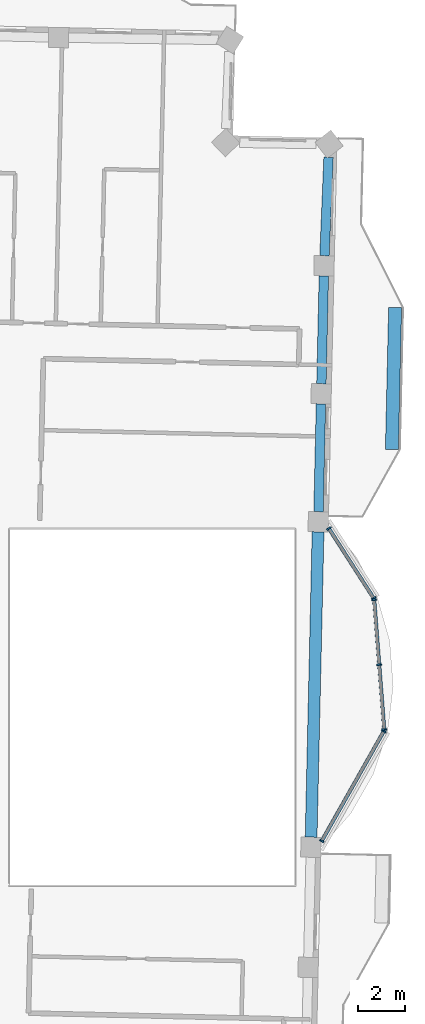
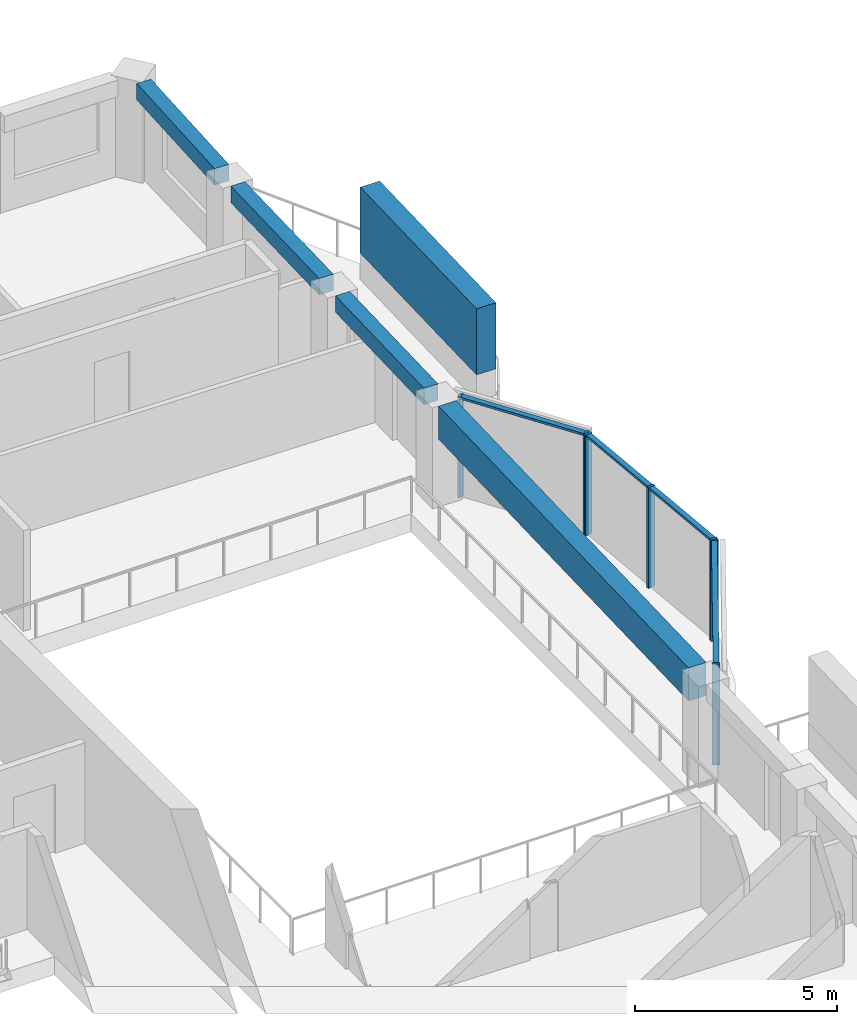
# One storey, part 2 of 15: 12 members, 4 beams, 3 elements without a shape of their own.
"""IFC4 building model written with IfcOpenShell, lengths in metres."""

from ifc_helpers import new_model, si_unit, direction, frame, origin, origin_2d, place, context, subcontext, project, spatial, rectangle, extrude, material, material_profile, profile_set, type_object, element, aggregate, save


model = new_model("IFC4")

# Units and contexts
model_context = context("Model", 3, precision=1e-05, world=origin(), true_north=direction((0.0, 1.0)))
body_context = subcontext(model_context, "Body", "Model", "MODEL_VIEW")
ifc_project = project(units=[si_unit("LENGTHUNIT", "METRE"), si_unit("AREAUNIT", "SQUARE_METRE"), si_unit("VOLUMEUNIT", "CUBIC_METRE"), si_unit("PLANEANGLEUNIT", "RADIAN"), si_unit("MASSUNIT", "GRAM", prefix="KILO")], contexts=[model_context])

# Site, building, storey
site_placement = place(None, origin())
site = spatial("IfcSite", under=ifc_project, at=site_placement, CompositionType="ELEMENT")
building_placement = place(site_placement, origin())
building = spatial("IfcBuilding", under=site, at=building_placement, Name="Mangrove Gate Tower", CompositionType="ELEMENT")
storey_placement = place(building_placement, frame((0.0, 0.0, 320.5)))
storey = spatial("IfcBuildingStorey", under=building, at=storey_placement, Name="L82", CompositionType="ELEMENT", Elevation=320.5)

# Curtain wall, members
ifc_material_1 = material(Name="Aluminium and glass curtain wall", Category="aluminium")
curtain_wall_type = type_object("IfcCurtainWallType", Name="Atrium garden-court glazing wall", PredefinedType="NOTDEFINED", material=ifc_material_1)
curtain_wall_1_placement = place(storey_placement, origin())
curtain_wall_1 = element("IfcCurtainWall", 1, at=curtain_wall_1_placement, inside=storey, type_object=curtain_wall_type, Name="Atrium garden-court glazing E1f1", PredefinedType="NOTDEFINED")
ifc_material_2 = material(Name="Aluminium alloy 6063-T6", Category="aluminium")
ifc_material_profile_1 = material_profile(ifc_material_2, rectangle(XDim=0.070068359375, YDim=0.199951171875, at=origin_2d()))
ifc_profile_set_1 = profile_set([ifc_material_profile_1], Name="Aluminium alloy 6063-T6")
member_type_1 = type_object("IfcMemberType", Name="Atrium garden-court glazing mullion 70x200", PredefinedType="MULLION", material=ifc_profile_set_1)
member_1_placement = place(storey_placement, frame((29.06884765625, -5.647216796875, 0.0), z_axis=(0.0, 0.0, 1.0), x_axis=(0.4925871539, 0.870263118725, 0.0)))
member_1 = element("IfcMember", 2, at=member_1_placement, type_object=member_type_1, Name="CWA mullion 1", PredefinedType="MULLION", context=body_context, shape_type="SweptSolid", body=[
    extrude(rectangle(XDim=0.070068359375, YDim=0.199951171875, at=origin_2d()), origin(), (0.0, 0.0, 1.0), 3.050048828125),
])
member_2_placement = place(storey_placement, frame((31.693359375, -1.01025390625, 0.0), z_axis=(0.0, 0.0, 1.0), x_axis=(0.4925871539, 0.870263118725, 0.0)))
member_2 = element("IfcMember", 3, at=member_2_placement, type_object=member_type_1, Name="CWA mullion 2", PredefinedType="MULLION", context=body_context, shape_type="SweptSolid", body=[
    extrude(rectangle(XDim=0.070068359375, YDim=0.199951171875, at=origin_2d()), origin(), (0.0, 0.0, 1.0), 3.050048828125),
])

curtain_wall_2_placement = place(storey_placement, origin())
curtain_wall_2 = element("IfcCurtainWall", 4, at=curtain_wall_2_placement, inside=storey, type_object=curtain_wall_type, Name="Atrium garden-court glazing E1f2", PredefinedType="NOTDEFINED")
member_3_placement = place(storey_placement, frame((31.7080078125, -0.94482421875, 0.0), z_axis=(0.0, 0.0, 1.0), x_axis=(-0.077023348212, 0.997029289354, 0.0)))
member_3 = element("IfcMember", 5, at=member_3_placement, type_object=member_type_1, Name="CWA mullion 1", PredefinedType="MULLION", context=body_context, shape_type="SweptSolid", body=[
    extrude(rectangle(XDim=0.070068359375, YDim=0.199951171875, at=origin_2d()), origin(), (0.0, 0.0, 1.0), 3.050048828125),
])
member_4_placement = place(storey_placement, frame((31.495849609375, 1.798583984375, 0.0), z_axis=(0.0, 0.0, 1.0), x_axis=(-0.077023348212, 0.997029289354, 0.0)))
member_4 = element("IfcMember", 6, at=member_4_placement, type_object=member_type_1, Name="CWA mullion 2", PredefinedType="MULLION", context=body_context, shape_type="SweptSolid", body=[
    extrude(rectangle(XDim=0.070068359375, YDim=0.199951171875, at=origin_2d()), origin(), (0.0, 0.0, 1.0), 3.050048828125),
])
member_5_placement = place(storey_placement, frame((31.283935546875, 4.542236328125, 0.0), z_axis=(0.0, 0.0, 1.0), x_axis=(-0.077023348212, 0.997029289354, 0.0)))
member_5 = element("IfcMember", 7, at=member_5_placement, type_object=member_type_1, Name="CWA mullion 3", PredefinedType="MULLION", context=body_context, shape_type="SweptSolid", body=[
    extrude(rectangle(XDim=0.070068359375, YDim=0.199951171875, at=origin_2d()), origin(), (0.0, 0.0, 1.0), 3.050048828125),
])

curtain_wall_3_placement = place(storey_placement, origin())
curtain_wall_3 = element("IfcCurtainWall", 8, at=curtain_wall_3_placement, inside=storey, type_object=curtain_wall_type, Name="Atrium garden-court glazing E1f3", PredefinedType="NOTDEFINED")
member_6_placement = place(storey_placement, frame((31.262451171875, 4.606689453125, 0.0), z_axis=(0.0, 0.0, 1.0), x_axis=(-0.540512472211, 0.841336001479, 0.0)))
member_6 = element("IfcMember", 9, at=member_6_placement, type_object=member_type_1, Name="CWA mullion 1", PredefinedType="MULLION", context=body_context, shape_type="SweptSolid", body=[
    extrude(rectangle(XDim=0.070068359375, YDim=0.199951171875, at=origin_2d()), origin(), (0.0, 0.0, 1.0), 3.050048828125),
])
member_7_placement = place(storey_placement, frame((29.371337890625, 7.550048828125, 0.0), z_axis=(0.0, 0.0, 1.0), x_axis=(-0.540512472211, 0.841336001479, 0.0)))
member_7 = element("IfcMember", 10, at=member_7_placement, type_object=member_type_1, Name="CWA mullion 2", PredefinedType="MULLION", context=body_context, shape_type="SweptSolid", body=[
    extrude(rectangle(XDim=0.070068359375, YDim=0.199951171875, at=origin_2d()), origin(), (0.0, 0.0, 1.0), 3.050048828125),
])

# Member
ifc_material_3 = material(Name="Aluminium alloy 6063-T6", Category="aluminium")
ifc_material_profile_2 = material_profile(ifc_material_3, rectangle(XDim=0.070068359375, YDim=0.14990234375, at=origin_2d()))
ifc_profile_set_2 = profile_set([ifc_material_profile_2], Name="Aluminium alloy 6063-T6")
member_type_2 = type_object("IfcMemberType", Name="Atrium garden-court glazing transom 70x150", PredefinedType="USERDEFINED", material=ifc_profile_set_2)
member_8_placement = place(storey_placement, frame((29.0859375, -5.61669921875, 3.014892578125), z_axis=(0.492589594548, 0.870261737262, 0.0), x_axis=(0.0, 0.0, 1.0)))
member_8 = element("IfcMember", 11, at=member_8_placement, type_object=member_type_2, Name="CWA transom 1.2", ObjectType="TRANSOM", PredefinedType="USERDEFINED", context=body_context, shape_type="SweptSolid", body=[
    extrude(rectangle(XDim=0.070068359375, YDim=0.14990234375, at=origin_2d()), origin(), (0.0, 0.0, 1.0), 5.258056640625),
])

aggregate(curtain_wall_1, [member_1, member_2, member_8])

member_9_placement = place(storey_placement, frame((31.705322265625, -0.909912109375, 3.014892578125), z_axis=(-0.077114223205, 0.997022264836, 0.0), x_axis=(0.0, 0.0, 1.0)))
member_9 = element("IfcMember", 12, at=member_9_placement, type_object=member_type_2, Name="CWA transom 1.2", ObjectType="TRANSOM", PredefinedType="USERDEFINED", context=body_context, shape_type="SweptSolid", body=[
    extrude(rectangle(XDim=0.070068359375, YDim=0.14990234375, at=origin_2d()), origin(), (0.0, 0.0, 1.0), 2.681640625),
])

member_10_placement = place(storey_placement, frame((31.4931640625, 1.83349609375, 3.014892578125), z_axis=(-0.07701672858, 0.997029800718, 0.0), x_axis=(0.0, 0.0, 1.0)))
member_10 = element("IfcMember", 13, at=member_10_placement, type_object=member_type_2, Name="CWA transom 2.2", ObjectType="TRANSOM", PredefinedType="USERDEFINED", context=body_context, shape_type="SweptSolid", body=[
    extrude(rectangle(XDim=0.070068359375, YDim=0.14990234375, at=origin_2d()), origin(), (0.0, 0.0, 1.0), 2.681884765625),
])

aggregate(curtain_wall_2, [member_3, member_4, member_5, member_9, member_10])

member_11_placement = place(storey_placement, frame((31.243408203125, 4.635986328125, 3.014892578125), z_axis=(-0.540455251262, 0.841372760067, 0.0), x_axis=(0.0, 0.0, 1.0)))
member_11 = element("IfcMember", 14, at=member_11_placement, type_object=member_type_2, Name="CWA transom 1.2", ObjectType="TRANSOM", PredefinedType="USERDEFINED", context=body_context, shape_type="SweptSolid", body=[
    extrude(rectangle(XDim=0.070068359375, YDim=0.14990234375, at=origin_2d()), origin(), (0.0, 0.0, 1.0), 3.4287109375),
])

aggregate(curtain_wall_3, [member_6, member_7, member_11])

ifc_material_4 = material(Name="Planting on aluminium trellis", Category="aluminium")
ifc_material_profile_3 = material_profile(ifc_material_4, rectangle(XDim=0.550048828125, YDim=2.0, at=origin_2d()))
ifc_profile_set_3 = profile_set([ifc_material_profile_3], Name="Planting on aluminium trellis")
member_type_3 = type_object("IfcMemberType", Name="Balcony greenery screen 550x2000", PredefinedType="USERDEFINED", material=ifc_profile_set_3)
member_12_placement = place(storey_placement, frame((32.032958984375, 10.888916015625, 1.800048828125), z_axis=(0.022662255828, 0.999743178102, 0.0), x_axis=(-0.999743178102, 0.022662255828, 0.0)))
element("IfcMember", 15, at=member_12_placement, inside=storey, type_object=member_type_3, Name="GREEN SCREEN L82 E1.1", ObjectType="PLANTING", PredefinedType="USERDEFINED", context=body_context, shape_type="SweptSolid", body=[
    extrude(rectangle(XDim=0.550048828125, YDim=2.0, at=origin_2d()), origin(), (0.0, 0.0, 1.0), 6.00048828125),
])

# Beams
ifc_material_5 = material(Name="Concrete C50/60", Category="concrete")
ifc_material_profile_4 = material_profile(ifc_material_5, rectangle(XDim=0.39990234375, YDim=0.5, at=origin_2d()))
ifc_profile_set_4 = profile_set([ifc_material_profile_4], Name="Concrete C50/60")
beam_type_1 = type_object("IfcBeamType", Name="Edge beam RC 400x500 C50/60", PredefinedType="BEAM", material=ifc_profile_set_4)
beam_1_placement = place(storey_placement, frame((28.932861328125, 8.259521484375, 2.800048828125), z_axis=(0.022709239016, 0.999742111979, 0.0), x_axis=(-0.999742111979, 0.022709239016, 0.0)))
element("IfcBeam", 16, at=beam_1_placement, inside=storey, type_object=beam_type_1, Name="Edge beam L82 18", PredefinedType="BEAM", context=body_context, shape_type="SweptSolid", body=[
    extrude(rectangle(XDim=0.39990234375, YDim=0.5, at=origin_2d()), origin(), (0.0, 0.0, 1.0), 4.558349609375),
])
beam_2_placement = place(storey_placement, frame((29.0556640625, 13.66650390625, 2.800048828125), z_axis=(0.022553473027, 0.999745638077, 0.0), x_axis=(-0.999745638077, 0.022553473027, 0.0)))
element("IfcBeam", 17, at=beam_2_placement, inside=storey, type_object=beam_type_1, Name="Edge beam L82 19", PredefinedType="BEAM", context=body_context, shape_type="SweptSolid", body=[
    extrude(rectangle(XDim=0.39990234375, YDim=0.5, at=origin_2d()), origin(), (0.0, 0.0, 1.0), 4.557373046875),
])
beam_3_placement = place(storey_placement, frame((29.185546875, 19.072265625, 2.800048828125), z_axis=(0.041318069487, 0.999146043946, 0.0), x_axis=(-0.999146043946, 0.041318069487, 0.0)))
element("IfcBeam", 18, at=beam_3_placement, inside=storey, type_object=beam_type_1, Name="Edge beam L82 20", PredefinedType="BEAM", context=body_context, shape_type="SweptSolid", body=[
    extrude(rectangle(XDim=0.39990234375, YDim=0.5, at=origin_2d()), origin(), (0.0, 0.0, 1.0), 4.159912109375),
])
ifc_material_6 = material(Name="Concrete C50/60", Category="concrete")
ifc_material_profile_5 = material_profile(ifc_material_6, rectangle(XDim=0.5, YDim=1.0, at=origin_2d()))
ifc_profile_set_5 = profile_set([ifc_material_profile_5], Name="Concrete C50/60")
beam_type_2 = type_object("IfcBeamType", Name="Edge beam RC 500x1000 C50/60", PredefinedType="BEAM", material=ifc_profile_set_5)
beam_4_placement = place(storey_placement, frame((28.620849609375, -5.487548828125, 2.550048828125), z_axis=(0.022690883298, 0.999742528762, 0.0), x_axis=(-0.999742528762, 0.022690883298, 0.0)))
element("IfcBeam", 19, at=beam_4_placement, inside=storey, type_object=beam_type_2, Name="Edge beam L82 17", PredefinedType="BEAM", context=body_context, shape_type="SweptSolid", body=[
    extrude(rectangle(XDim=0.5, YDim=1.0, at=origin_2d()), origin(), (0.0, 0.0, 1.0), 12.900634765625),
])

save(model, "model.ifc")
